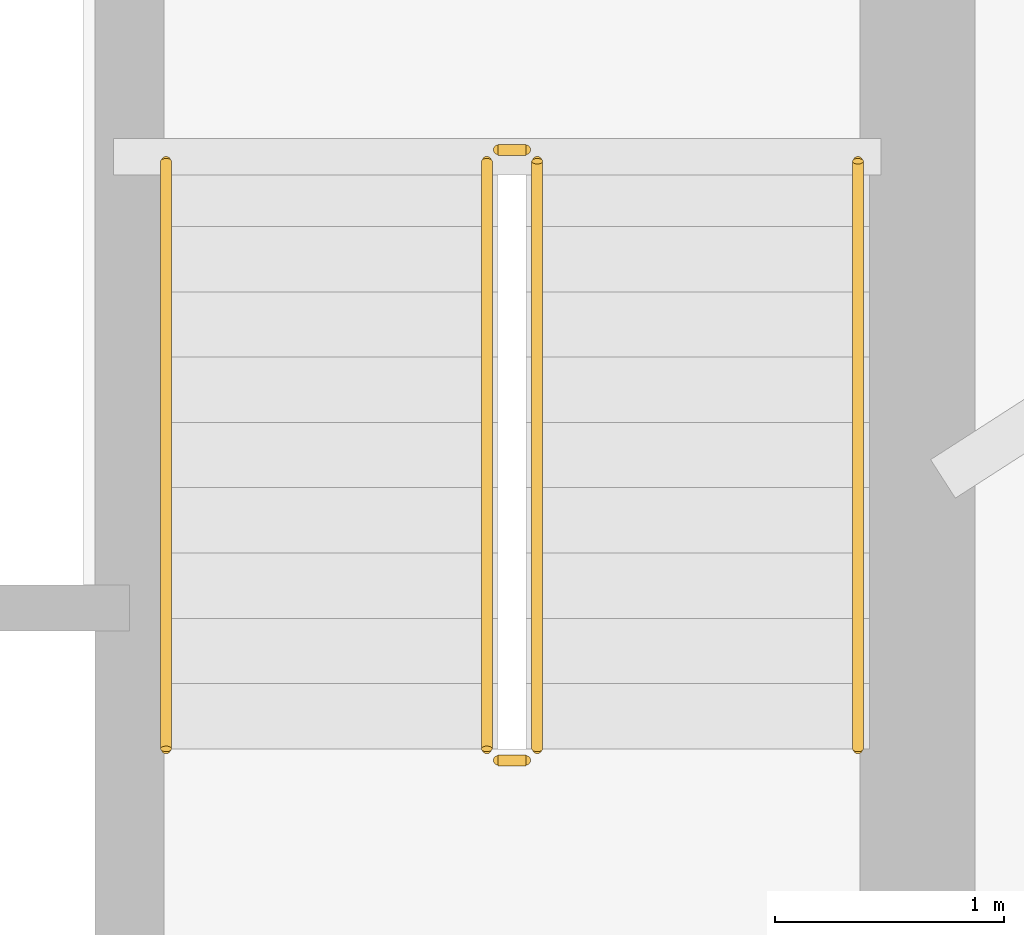
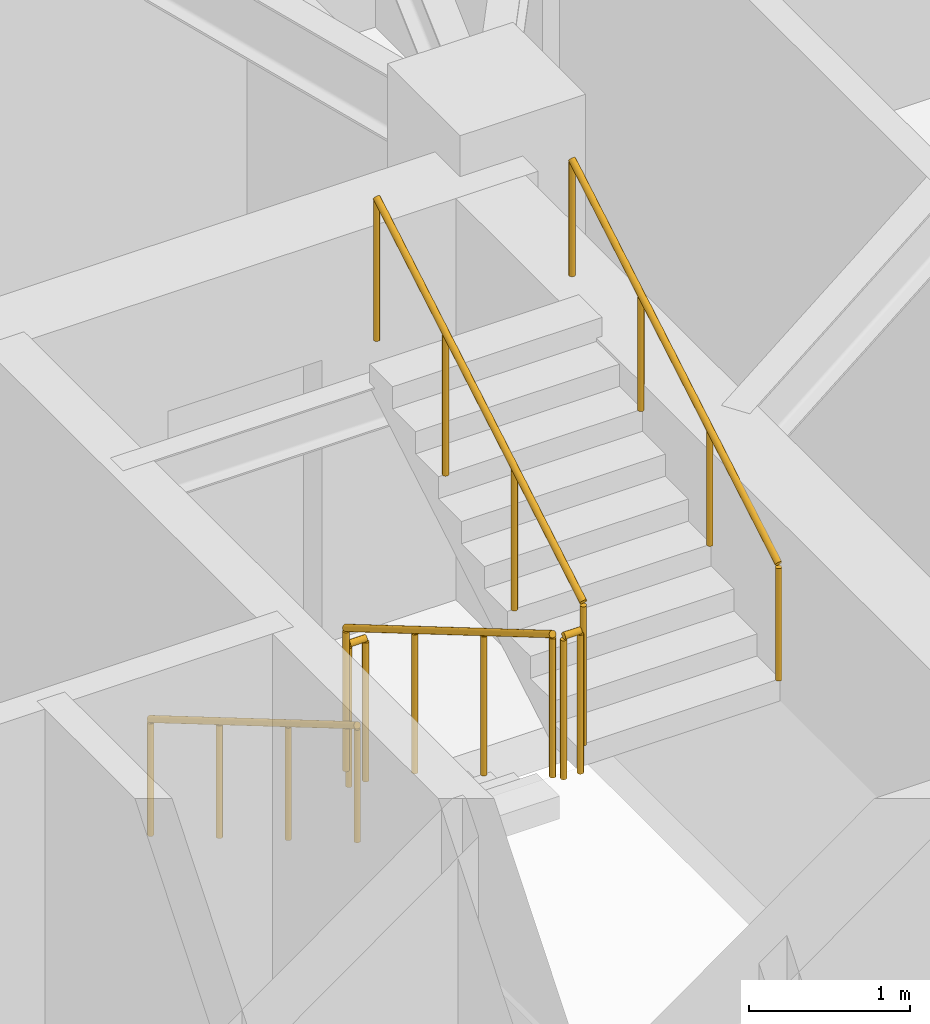
# One storey, part 17 of 17: 6 railings.
"""IFC4 building model written with IfcOpenShell, lengths in metres."""

import ifcopenshell
import ifcopenshell.guid

model = None  # the IFC model being written
_history = None  # IfcOwnerHistory: only IFC2X3 demands one
_inside = {}  # id of a spatial element -> (the spatial element, [elements in it])
_under = {}  # id of a project, library or spatial element -> (it, [spatial elements below it])
_declared = {}  # id of a project -> (the project, [libraries it declares])
_typed = {}  # id of a type object -> (the type object, [elements of that type])
_made_of = {}  # id of a material, layer set ... -> (it, [elements and type objects made of it])


def new_model(schema):
    """Start an empty IFC model of exactly this schema.

    Asked for "IFC4X3", IfcOpenShell would pick the latest addendum, in which some entities
    have other attributes; the version numbers below select the first issue.
    IFC2X3 requires an IfcOwnerHistory on every rooted entity: one is made here for all.
    """
    global model, _history
    if schema == "IFC4X3":
        model = ifcopenshell.file(schema_version=(4, 3, 0, 0))
    else:
        model = ifcopenshell.file(schema=schema)
    _inside.clear()
    _under.clear()
    _declared.clear()
    _typed.clear()
    _made_of.clear()
    _history = None
    if model.schema == "IFC2X3":
        org = make("IfcOrganization", Name="unknown")
        user = make(
            "IfcPersonAndOrganization",
            ThePerson=make("IfcPerson", FamilyName="unknown"),
            TheOrganization=org,
        )
        app = make(
            "IfcApplication",
            ApplicationDeveloper=org,
            Version="unknown",
            ApplicationFullName="unknown",
            ApplicationIdentifier="unknown",
        )
        _history = make(
            "IfcOwnerHistory",
            OwningUser=user,
            OwningApplication=app,
            ChangeAction="ADDED",
            CreationDate=0,
        )
    return model


def make(cls, **values):
    """One entity of the class cls with the attributes given. An attribute that is None is left unset."""
    return model.create_entity(
        cls, **{name: value for name, value in values.items() if value is not None}
    )


def rooted(cls, **values):
    """An entity with a GlobalId (a new one), such as an element, a storey or a relation."""
    return make(cls, GlobalId=ifcopenshell.guid.new(), OwnerHistory=_history, **values)


def si_unit(unit_type, name, prefix=None):
    """IfcSIUnit, for example si_unit("LENGTHUNIT", "METRE", prefix="MILLI")."""
    return make("IfcSIUnit", UnitType=unit_type, Prefix=prefix, Name=name)


def assignment(units):
    """IfcUnitAssignment: the units of a project."""
    return None if units is None else make("IfcUnitAssignment", Units=units)


def point(xyz):
    """IfcCartesianPoint."""
    return None if xyz is None else make("IfcCartesianPoint", Coordinates=xyz)


def direction(xyz):
    """IfcDirection."""
    return None if xyz is None else make("IfcDirection", DirectionRatios=xyz)


def frame(location, z_axis=None, x_axis=None):
    """IfcAxis2Placement3D, a coordinate frame: its origin and axes. An axis left out is left unset."""
    return make(
        "IfcAxis2Placement3D",
        Location=point(location),
        Axis=direction(z_axis),
        RefDirection=direction(x_axis),
    )


def frame_2d(location, x_axis=None):
    """IfcAxis2Placement2D, a coordinate frame in the plane: its origin and x axis."""
    return make(
        "IfcAxis2Placement2D", Location=point(location), RefDirection=direction(x_axis)
    )


def origin():
    """The frame at (0, 0, 0) with its axes left unset."""
    return frame((0.0, 0.0, 0.0))


def origin_2d():
    """The frame at (0, 0) in the plane with its x axis left unset."""
    return frame_2d((0.0, 0.0))


def place(relative_to, where):
    """IfcLocalPlacement: puts the frame where relative to a parent placement (None: the world)."""
    return make(
        "IfcLocalPlacement", PlacementRelTo=relative_to, RelativePlacement=where
    )


def context(
    kind, dimensions, precision=None, world=None, true_north=None, identifier=None
):
    """IfcGeometricRepresentationContext, for example the 3D "Model" context."""
    return make(
        "IfcGeometricRepresentationContext",
        ContextIdentifier=identifier,
        ContextType=kind,
        CoordinateSpaceDimension=dimensions,
        Precision=precision,
        WorldCoordinateSystem=world,
        TrueNorth=true_north,
    )


def subcontext(parent, identifier, kind, view, scale=None):
    """IfcGeometricRepresentationSubContext, for example "Body" below "Model"."""
    return make(
        "IfcGeometricRepresentationSubContext",
        ContextIdentifier=identifier,
        ContextType=kind,
        ParentContext=parent,
        TargetScale=scale,
        TargetView=view,
    )


def project(units=None, contexts=None):
    """IfcProject with its units and contexts."""
    return rooted(
        "IfcProject",
        Name="project",
        RepresentationContexts=contexts,
        UnitsInContext=assignment(units),
    )


def spatial(cls, under=None, at=None, **own):
    """A site, building, storey or space (cls), placed at a placement, below another one or the project."""
    s = rooted(cls, ObjectPlacement=at, **own)
    if under is not None:
        _under.setdefault(under.id(), (under, []))[1].append(s)
    return s


def profile(cls, at=None, kind="AREA", **sizes):
    """A parametric profile (cls). Its sizes go by their IFC names, for example OverallWidth=200.0."""
    return make(cls, ProfileType=kind, Position=at, **sizes)


def circle(**sizes):
    """IfcCircleProfileDef."""
    return profile("IfcCircleProfileDef", **sizes)


def extrude(swept, where, along, depth):
    """IfcExtrudedAreaSolid: the profile swept, set in the frame where, extruded along a direction by depth."""
    return make(
        "IfcExtrudedAreaSolid",
        SweptArea=swept,
        Position=where,
        ExtrudedDirection=direction(along),
        Depth=depth,
    )


def shape(context_of_items, identifier, shape_type, items):
    """IfcShapeRepresentation: the items that make up one representation, for example the "Body"."""
    return make(
        "IfcShapeRepresentation",
        ContextOfItems=context_of_items,
        RepresentationIdentifier=identifier,
        RepresentationType=shape_type,
        Items=items,
    )


def material(Name=None, Category=None):
    """IfcMaterial."""
    return make("IfcMaterial", Name=Name, Category=Category)


def made_of(thing, what):
    """Note that an element or type object is made of a material, layer set ...; save() writes the relation."""
    if what is not None:
        _made_of.setdefault(what.id(), (what, []))[1].append(thing)
    return thing


def type_object(cls, material=None, **own):
    """A type object (cls), such as IfcWallType, which elements share."""
    return made_of(rooted(cls, **own), material)


def element(
    cls,
    number,
    at=None,
    inside=None,
    cuts=None,
    type_object=None,
    material=None,
    context=None,
    identifier="Body",
    shape_type=None,
    held_by="IfcProductDefinitionShape",
    body=None,
    shapes=None,
    **own,
):
    """One element of the class cls, such as IfcWall. Its Tag is "e" and its number.

    at: its placement. inside: the storey or other place that contains it. cuts: it is an
    opening in that element (IfcRelVoidsElement). A single representation is given by context,
    identifier, shape_type and body (its items); several are given by shapes. held_by: the class
    of the entity that holds the representations. save() writes the other relations.
    """
    e = rooted(cls, Tag="e%d" % number, ObjectPlacement=at, **own)
    if body is not None:
        shapes = [shape(context, identifier, shape_type, body)]
    if shapes is not None:
        e.Representation = make(held_by, Representations=shapes)
    if inside is not None:
        _inside.setdefault(inside.id(), (inside, []))[1].append(e)
    if cuts is not None:
        rooted(
            "IfcRelVoidsElement", RelatingBuildingElement=cuts, RelatedOpeningElement=e
        )
    if type_object is not None:
        _typed.setdefault(type_object.id(), (type_object, []))[1].append(e)
    return made_of(e, material)


def aggregate(whole, parts):
    """IfcRelAggregates: a whole, such as a stair, and the parts it consists of."""
    return rooted("IfcRelAggregates", RelatingObject=whole, RelatedObjects=parts)


def save(model, path):
    """Write the relations noted so far, then the file.

    IfcRelAggregates (storeys below a building ...), IfcRelContainedInSpatialStructure (elements
    in a storey), IfcRelDefinesByType, IfcRelAssociatesMaterial and IfcRelDeclares: one each for
    every whole, place, type object, material and project.
    """
    for whole, parts in _under.values():
        aggregate(whole, parts)
    for where, things in _inside.values():
        rooted(
            "IfcRelContainedInSpatialStructure",
            RelatedElements=things,
            RelatingStructure=where,
        )
    for kind, things in _typed.values():
        rooted("IfcRelDefinesByType", RelatedObjects=things, RelatingType=kind)
    for what, things in _made_of.values():
        rooted("IfcRelAssociatesMaterial", RelatedObjects=things, RelatingMaterial=what)
    for by, libraries in _declared.values():
        rooted("IfcRelDeclares", RelatingContext=by, RelatedDefinitions=libraries)
    model.write(path)


model = new_model("IFC4")

# Units and contexts
model_context = context("Model", 3, precision=1e-05, world=origin(), true_north=direction((0.0, 1.0)))
body_context = subcontext(model_context, "Body", "Model", "MODEL_VIEW")
ifc_project = project(units=[si_unit("LENGTHUNIT", "METRE"), si_unit("AREAUNIT", "SQUARE_METRE"), si_unit("VOLUMEUNIT", "CUBIC_METRE"), si_unit("PLANEANGLEUNIT", "RADIAN"), si_unit("MASSUNIT", "GRAM", prefix="KILO")], contexts=[model_context])

# Site, building, storey
site_placement = place(None, origin())
site = spatial("IfcSite", under=ifc_project, at=site_placement, CompositionType="ELEMENT")
building_placement = place(site_placement, origin())
building = spatial("IfcBuilding", under=site, at=building_placement, Name="Qobustan Lattice House", CompositionType="ELEMENT")
storey_placement = place(building_placement, frame((0.0, 0.0, 144.39990234375)))
storey = spatial("IfcBuildingStorey", under=building, at=storey_placement, Name="L40", CompositionType="ELEMENT", Elevation=144.39990234375)

# Railings
ifc_material_1 = material(Name="Brushed stainless steel handrail", Category="steel")
railing_type_1 = type_object("IfcRailingType", Name="RAL-HR-920", PredefinedType="HANDRAIL", material=ifc_material_1)
railing_1_placement = place(storey_placement, frame((15.179931640625, 3.5, 0.16748046875)))
element("IfcRailing", 1, at=railing_1_placement, inside=storey, type_object=railing_type_1, Name="L40 ST-E1 stair handrail 1", PredefinedType="HANDRAIL", context=body_context, shape_type="SweptSolid", body=[
    extrude(circle(Radius=0.02392578125, at=origin_2d()), frame((0.0, 0.0, 0.8759765625), z_axis=(0.0, -0.862113467892, 0.50671527358), x_axis=(1.0, 0.0, 0.0)), (0.0, 0.0, 1.0), 2.97509765625),
    extrude(circle(Radius=0.02099609375, at=origin_2d()), origin(), (0.0, 0.0, 1.0), 0.851806640625),
    extrude(circle(Radius=0.02099609375, at=origin_2d()), frame((0.0, -0.85498046875, 0.50244140625)), (0.0, 0.0, 1.0), 0.851806640625),
    extrude(circle(Radius=0.02099609375, at=origin_2d()), frame((0.0, -1.7099609375, 1.005126953125)), (0.0, 0.0, 1.0), 0.851806640625),
    extrude(circle(Radius=0.02099609375, at=origin_2d()), frame((0.0, -2.56494140625, 1.507568359375)), (0.0, 0.0, 1.0), 0.851806640625),
])
railing_2_placement = place(storey_placement, frame((18.199951171875, 0.93505859375, 1.842529296875)))
element("IfcRailing", 2, at=railing_2_placement, inside=storey, type_object=railing_type_1, Name="L40 ST-E1 stair handrail 2", PredefinedType="HANDRAIL", context=body_context, shape_type="SweptSolid", body=[
    extrude(circle(Radius=0.02392578125, at=origin_2d()), frame((0.0, 0.0, 0.8759765625), z_axis=(0.0, 0.862113467892, 0.50671527358), x_axis=(-1.0, 0.0, 0.0)), (0.0, 0.0, 1.0), 2.97509765625),
    extrude(circle(Radius=0.02099609375, at=origin_2d()), origin(), (0.0, 0.0, 1.0), 0.851806640625),
    extrude(circle(Radius=0.02099609375, at=origin_2d()), frame((0.0, 0.85498046875, 0.50244140625)), (0.0, 0.0, 1.0), 0.851806640625),
    extrude(circle(Radius=0.02099609375, at=origin_2d()), frame((0.0, 1.7099609375, 1.005126953125)), (0.0, 0.0, 1.0), 0.851806640625),
    extrude(circle(Radius=0.02099609375, at=origin_2d()), frame((0.0, 2.56494140625, 1.507568359375)), (0.0, 0.0, 1.0), 0.851806640625),
])
ifc_material_2 = material(Name="Painted galvanized steel guardrail", Category="steel")
railing_type_2 = type_object("IfcRailingType", Name="RAL-STG-1150", PredefinedType="GUARDRAIL", material=ifc_material_2)
railing_3_placement = place(storey_placement, frame((16.580078125, 3.5, 0.16748046875)))
element("IfcRailing", 3, at=railing_3_placement, inside=storey, type_object=railing_type_2, Name="L40 ST-E1 stair guard 1", PredefinedType="GUARDRAIL", context=body_context, shape_type="SweptSolid", body=[
    extrude(circle(Radius=0.02392578125, at=origin_2d()), frame((0.0, 0.0, 1.076171875), z_axis=(0.0, -0.862113467892, 0.50671527358), x_axis=(1.0, 0.0, 0.0)), (0.0, 0.0, 1.0), 2.97509765625),
    extrude(circle(Radius=0.02099609375, at=origin_2d()), origin(), (0.0, 0.0, 1.0), 1.052001953125),
    extrude(circle(Radius=0.02099609375, at=origin_2d()), frame((0.0, -0.85498046875, 0.50244140625)), (0.0, 0.0, 1.0), 1.052001953125),
    extrude(circle(Radius=0.02099609375, at=origin_2d()), frame((0.0, -1.7099609375, 1.005126953125)), (0.0, 0.0, 1.0), 1.052001953125),
    extrude(circle(Radius=0.02099609375, at=origin_2d()), frame((0.0, -2.56494140625, 1.507568359375)), (0.0, 0.0, 1.0), 1.052001953125),
])
railing_4_placement = place(storey_placement, frame((16.6298828125, 0.885009765625, 1.675048828125)))
element("IfcRailing", 4, at=railing_4_placement, inside=storey, type_object=railing_type_2, Name="L40 ST-E1 stair guard 2", PredefinedType="GUARDRAIL", context=body_context, shape_type="SweptSolid", body=[
    extrude(circle(Radius=0.02392578125, at=origin_2d()), frame((0.0, 0.0, 1.076171875), z_axis=(1.0, 0.0, 0.0), x_axis=(0.0, 1.0, 0.0)), (0.0, 0.0, 1.0), 0.1201171875),
    extrude(circle(Radius=0.02099609375, at=origin_2d()), origin(), (0.0, 0.0, 1.0), 1.052001953125),
    extrude(circle(Radius=0.02099609375, at=origin_2d()), frame((0.1201171875, 0.0, 0.0)), (0.0, 0.0, 1.0), 1.052001953125),
])
railing_5_placement = place(storey_placement, frame((16.800048828125, 0.93505859375, 1.842529296875)))
element("IfcRailing", 5, at=railing_5_placement, inside=storey, type_object=railing_type_2, Name="L40 ST-E1 stair guard 3", PredefinedType="GUARDRAIL", context=body_context, shape_type="SweptSolid", body=[
    extrude(circle(Radius=0.02392578125, at=origin_2d()), frame((0.0, 0.0, 1.076171875), z_axis=(0.0, 0.862113467892, 0.50671527358), x_axis=(-1.0, 0.0, 0.0)), (0.0, 0.0, 1.0), 2.97509765625),
    extrude(circle(Radius=0.02099609375, at=origin_2d()), origin(), (0.0, 0.0, 1.0), 1.052001953125),
    extrude(circle(Radius=0.02099609375, at=origin_2d()), frame((0.0, 0.85498046875, 0.50244140625)), (0.0, 0.0, 1.0), 1.052001953125),
    extrude(circle(Radius=0.02099609375, at=origin_2d()), frame((0.0, 1.7099609375, 1.005126953125)), (0.0, 0.0, 1.0), 1.052001953125),
    extrude(circle(Radius=0.02099609375, at=origin_2d()), frame((0.0, 2.56494140625, 1.507568359375)), (0.0, 0.0, 1.0), 1.052001953125),
])
railing_6_placement = place(storey_placement, frame((16.6298828125, 3.550048828125, 0.0)))
element("IfcRailing", 6, at=railing_6_placement, inside=storey, type_object=railing_type_2, Name="L40 ST-E1 stair guard 4", PredefinedType="GUARDRAIL", context=body_context, shape_type="SweptSolid", body=[
    extrude(circle(Radius=0.02392578125, at=origin_2d()), frame((0.0, 0.0, 1.076171875), z_axis=(1.0, 0.0, 0.0), x_axis=(0.0, 1.0, 0.0)), (0.0, 0.0, 1.0), 0.1201171875),
    extrude(circle(Radius=0.02099609375, at=origin_2d()), origin(), (0.0, 0.0, 1.0), 1.052001953125),
    extrude(circle(Radius=0.02099609375, at=origin_2d()), frame((0.1201171875, 0.0, 0.0)), (0.0, 0.0, 1.0), 1.052001953125),
])

save(model, "model.ifc")
